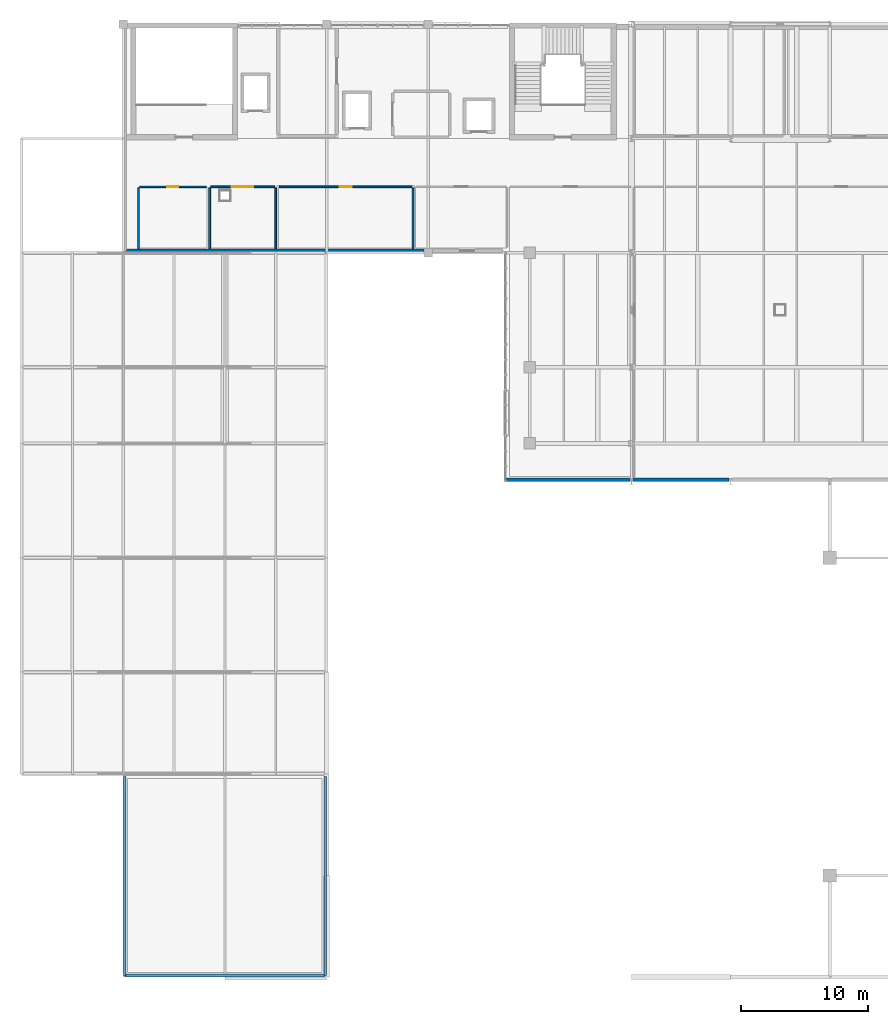
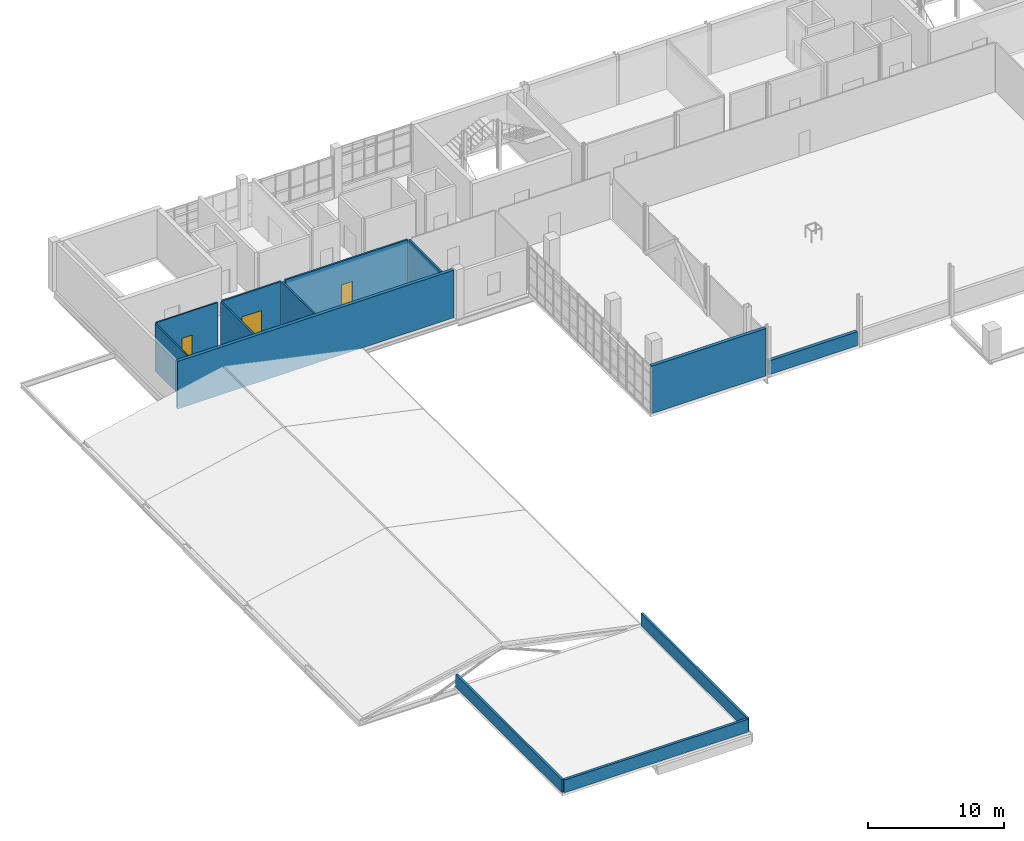
# One storey, part 31 of 38: 13 walls, 3 doors, 3 openings.
"""IFC4 building model written with IfcOpenShell, lengths in metres."""

from ifc_helpers import new_model, si_unit, derived_unit, direction, frame, frame_2d, origin, place, context, subcontext, project, spatial, rectangle, extrude, material, layer, layer_set, type_object, element, fill, save


model = new_model("IFC4")

# Units and contexts
model_context = context("Model", 3, precision=1e-05, world=origin(), true_north=direction((0.0, 1.0)))
body_context = subcontext(model_context, "Body", "Model", "MODEL_VIEW")
ifc_project = project(units=[si_unit("LENGTHUNIT", "METRE"), si_unit("AREAUNIT", "SQUARE_METRE"), si_unit("VOLUMEUNIT", "CUBIC_METRE"), si_unit("PLANEANGLEUNIT", "RADIAN"), si_unit("MASSUNIT", "GRAM", prefix="KILO"), derived_unit("THERMALTRANSMITTANCEUNIT", [(si_unit("POWERUNIT", "WATT"), 1), (si_unit("LENGTHUNIT", "METRE"), -2), (si_unit("THERMODYNAMICTEMPERATUREUNIT", "KELVIN"), -1)])], contexts=[model_context])

# Site, building, storey
site_placement = place(None, origin())
site = spatial("IfcSite", under=ifc_project, at=site_placement, CompositionType="ELEMENT")
building_placement = place(site_placement, origin())
building = spatial("IfcBuilding", under=site, at=building_placement, Name="Nallur Shell Playhouse", CompositionType="ELEMENT")
storey_placement = place(building_placement, frame((0.0, 0.0, 24.300048828125)))
storey = spatial("IfcBuildingStorey", under=building, at=storey_placement, Name="L06", CompositionType="ELEMENT", Elevation=24.300048828125)

# Walls
ifc_material_1 = material(Name="Concrete M30", Category="concrete")
ifc_layer_1 = layer(ifc_material_1, 0.280029296875)
ifc_layer_set_1 = layer_set([ifc_layer_1], Name="Concrete M30")
wall_type_1 = type_object("IfcWallType", Name="WL-EXT-INS280", PredefinedType="STANDARD", material=ifc_layer_set_1)
wall_1_placement = place(storey_placement, frame((71.6669921875, 47.159912109375, 0.0), z_axis=(0.0, 0.0, 1.0), x_axis=(-1.0, 0.0, 0.0)))
element("IfcWall", 1, at=wall_1_placement, inside=storey, type_object=wall_type_1, Name="L06 exterior wall EW-L06-248", PredefinedType="STANDARD", context=body_context, shape_type="SweptSolid", body=[
    extrude(rectangle(XDim=7.533935546875, YDim=0.280029296875, at=frame_2d((3.76708984375, 0.0))), origin(), (0.0, 0.0, 1.0), 1.25),
])
wall_2_placement = place(storey_placement, frame((63.866943359375, 47.159912109375, 0.0), z_axis=(0.0, 0.0, 1.0), x_axis=(-1.0, 0.0, 0.0)))
element("IfcWall", 2, at=wall_2_placement, inside=storey, type_object=wall_type_1, Name="L06 exterior wall EW-L06-249", PredefinedType="STANDARD", context=body_context, shape_type="SweptSolid", body=[
    extrude(rectangle(XDim=9.717041015625, YDim=0.280029296875, at=frame_2d((4.8583984375, 0.0))), origin(), (0.0, 0.0, 1.0), 4.280029296875),
])
wall_3_placement = place(storey_placement, frame((47.6669921875, 65.159912109375, 0.0), z_axis=(0.0, 0.0, 1.0), x_axis=(-1.0, 0.0, 0.0)))
element("IfcWall", 3, at=wall_3_placement, inside=storey, type_object=wall_type_1, Name="L06 exterior wall EW-L06-251", PredefinedType="STANDARD", context=body_context, shape_type="SweptSolid", body=[
    extrude(rectangle(XDim=23.51708984375, YDim=0.280029296875, at=frame_2d((11.758544921875, 0.0))), origin(), (0.0, 0.0, 1.0), 4.280029296875),
])
ifc_material_2 = material(Name="Concrete M35", Category="concrete")
ifc_layer_2 = layer(ifc_material_2, 0.179931640625)
ifc_layer_set_2 = layer_set([ifc_layer_2], Name="Concrete M35")
wall_type_2 = type_object("IfcWallType", Name="WL-PARAPET-180", PredefinedType="PARAPET", material=ifc_layer_set_2)
for number, where, z_axis, x_axis, name in (
    (4, (39.889892578125, 23.800048828125, 0.0), (0.0, 0.0, 1.0), (0.0, -1.0, 0.0), "L06 concrete roof parapet PAR-034"),
    (5, (24.110107421875, 8.1298828125, 0.0), (0.0, 0.0, 1.0), (0.0, 1.0, 0.0), "L06 concrete roof parapet PAR-036"),
):
    element("IfcWall", number, at=place(storey_placement, frame(where, z_axis=z_axis, x_axis=x_axis)), inside=storey, type_object=wall_type_2, Name=name, PredefinedType="PARAPET", context=body_context, shape_type="SweptSolid", body=[
        extrude(rectangle(XDim=15.670166015625, YDim=0.179931640625, at=frame_2d((7.8349609375, 0.0))), origin(), (0.0, 0.0, 1.0), 1.14990234375),
    ])
ifc_layer_3 = layer(ifc_material_2, 0.219970703125)
ifc_layer_set_3 = layer_set([ifc_layer_3], Name="Concrete M35")
wall_type_3 = type_object("IfcWallType", Name="WL-PARAPET-220", PredefinedType="PARAPET", material=ifc_layer_set_3)
wall_4_placement = place(storey_placement, frame((39.85009765625, 8.1298828125, 0.0), z_axis=(0.0, 0.0, 1.0), x_axis=(-1.0, 0.0, 0.0)))
element("IfcWall", 6, at=wall_4_placement, inside=storey, type_object=wall_type_3, Name="L06 concrete roof parapet PAR-035", PredefinedType="PARAPET", context=body_context, shape_type="SweptSolid", body=[
    extrude(rectangle(XDim=15.7001953125, YDim=0.219970703125, at=frame_2d((7.85009765625, 0.0))), origin(), (0.0, 0.0, 1.0), 1.14990234375),
])
ifc_material_3 = material(Name="Concrete M25 Fire Blockwork", Category="masonry")
ifc_layer_4 = layer(ifc_material_3, 0.14990234375)
ifc_layer_set_4 = layer_set([ifc_layer_4], Name="Concrete M25 Fire Blockwork")
wall_type_4 = type_object("IfcWallType", Name="WL-PART-FR150", PredefinedType="PARTITIONING", material=ifc_layer_set_4)
for number, where, z_axis, x_axis, name in (
    (7, (36.0, 70.10498046875, 0.0), (0.0, 0.0, 1.0), (0.0, -1.0, 0.0), "Experimental Drama & Mask Workshop partition IW-L06-0400"),
    (8, (30.800048828125, 65.303955078125, 0.0), (0.0, 0.0, 1.0), (0.0, 1.0, 0.0), "Experimental Drama & Mask Workshop partition IW-L06-0401"),
):
    element("IfcWall", number, at=place(storey_placement, frame(where, z_axis=z_axis, x_axis=x_axis)), inside=storey, type_object=wall_type_4, Name=name, PredefinedType="PARTITIONING", context=body_context, shape_type="SweptSolid", body=[
        extrude(rectangle(XDim=4.801025390625, YDim=0.14990234375, at=frame_2d((2.400390625, 0.0))), origin(), (0.0, 0.0, 1.0), 4.27001953125),
    ])

# Wall, opening, door
wall_5_placement = place(storey_placement, frame((30.89501953125, 70.199951171875, 0.0), z_axis=(0.0, 0.0, 1.0), x_axis=(1.0, 0.0, 0.0)))
wall_5 = element("IfcWall", 9, at=wall_5_placement, inside=storey, type_object=wall_type_4, Name="Experimental Drama & Mask Workshop partition IW-L06-0402", PredefinedType="PARTITIONING", context=body_context, shape_type="SweptSolid", body=[
    extrude(rectangle(XDim=5.010009765625, YDim=0.14990234375, at=frame_2d((2.5048828125, 0.0))), origin(), (0.0, 0.0, 1.0), 4.27001953125),
])
opening_1_placement = place(wall_5_placement, frame((1.655029296875, 0.0, 0.0)))
opening_1 = element("IfcOpeningElement", 10, at=opening_1_placement, cuts=wall_5, Name="Opening RD-01", PredefinedType="OPENING", context=body_context, shape_type="SweptSolid", body=[
    extrude(rectangle(XDim=1.699951171875, YDim=2.25, at=frame_2d((0.85009765625, 1.125))), frame((0.0, 0.0849609375, 0.0), z_axis=(0.0, -1.0, 0.0), x_axis=(1.0, 0.0, 0.0)), (0.0, 0.0, 1.0), 0.169921875),
])
ifc_material_4 = material(Name="Rehearsal Hall Acoustic Double Door")
door_type_1 = type_object("IfcDoorType", Name="DR-INT-RHL-DBL", OperationType="DOUBLE_DOOR_SINGLE_SWING", PredefinedType="DOOR", material=ifc_material_4)
door_1_placement = place(opening_1_placement, origin())
door_1 = element("IfcDoor", 11, at=door_1_placement, inside=storey, type_object=door_type_1, Name="Experimental Drama & Mask Workshop door 1", OperationType="DOUBLE_DOOR_SINGLE_SWING", OverallHeight=2.25, OverallWidth=1.699951171875, PredefinedType="DOOR", context=body_context, shape_type="SweptSolid", body=[
    extrude(rectangle(XDim=1.699951171875, YDim=2.25, at=frame_2d((0.85009765625, 1.125))), frame((0.0, 0.02490234375, 0.0), z_axis=(0.0, -1.0, 0.0), x_axis=(1.0, 0.0, 0.0)), (0.0, 0.0, 1.0), 0.050048828125),
])
fill(opening_1, door_1)

wall_6_placement = place(storey_placement, frame((36.294921875, 70.199951171875, 0.0), z_axis=(0.0, 0.0, 1.0), x_axis=(1.0, 0.0, 0.0)))
wall_6 = element("IfcWall", 12, at=wall_6_placement, inside=storey, type_object=wall_type_4, Name="Artistic Director & Executive Management Suite partition IW-L06-0412", PredefinedType="PARTITIONING", context=body_context, shape_type="SweptSolid", body=[
    extrude(rectangle(XDim=10.41015625, YDim=0.14990234375, at=frame_2d((5.205078125, 0.0))), origin(), (0.0, 0.0, 1.0), 4.27001953125),
])
opening_2_placement = place(wall_6_placement, frame((4.72998046875, 0.0, 0.0)))
opening_2 = element("IfcOpeningElement", 13, at=opening_2_placement, cuts=wall_6, Name="Opening ID-04", PredefinedType="OPENING", context=body_context, shape_type="SweptSolid", body=[
    extrude(rectangle(XDim=0.949951171875, YDim=2.14990234375, at=frame_2d((0.47509765625, 1.074951171875))), frame((0.0, 0.0849609375, 0.0), z_axis=(0.0, -1.0, 0.0), x_axis=(1.0, 0.0, 0.0)), (0.0, 0.0, 1.0), 0.169921875),
])
ifc_material_5 = material(Name="Solid-Core Engineered Timber Door", Category="wood")
door_type_2 = type_object("IfcDoorType", Name="DR-INT-SGL950R", OperationType="SINGLE_SWING_RIGHT", PredefinedType="DOOR", material=ifc_material_5)
door_2_placement = place(opening_2_placement, origin())
door_2 = element("IfcDoor", 14, at=door_2_placement, inside=storey, type_object=door_type_2, Name="Artistic Director & Executive Management Suite door 1", OperationType="SINGLE_SWING_RIGHT", OverallHeight=2.14990234375, OverallWidth=0.949951171875, PredefinedType="DOOR", context=body_context, shape_type="SweptSolid", body=[
    extrude(rectangle(XDim=0.949951171875, YDim=2.14990234375, at=frame_2d((0.47509765625, 1.074951171875))), frame((0.0, 0.02490234375, 0.0), z_axis=(0.0, -1.0, 0.0), x_axis=(1.0, 0.0, 0.0)), (0.0, 0.0, 1.0), 0.050048828125),
])
fill(opening_2, door_2)

# Walls
wall_7_placement = place(storey_placement, frame((46.800048828125, 70.10498046875, 0.0), z_axis=(0.0, 0.0, 1.0), x_axis=(0.0, -1.0, 0.0)))
element("IfcWall", 15, at=wall_7_placement, inside=storey, type_object=wall_type_4, Name="Artistic Director & Executive Management Suite partition IW-L06-0413", PredefinedType="PARTITIONING", context=body_context, shape_type="SweptSolid", body=[
    extrude(rectangle(XDim=4.801025390625, YDim=0.14990234375, at=frame_2d((2.400390625, 0.0))), origin(), (0.0, 0.0, 1.0), 4.27001953125),
])
ifc_layer_5 = layer(ifc_material_3, 0.1201171875)
ifc_layer_set_5 = layer_set([ifc_layer_5], Name="Concrete M25 Fire Blockwork")
wall_type_5 = type_object("IfcWallType", Name="WL-PART-WET120", PredefinedType="PARTITIONING", material=ifc_layer_set_5)
wall_8_placement = place(storey_placement, frame((25.199951171875, 65.303955078125, 0.0), z_axis=(0.0, 0.0, 1.0), x_axis=(0.0, 1.0, 0.0)))
element("IfcWall", 16, at=wall_8_placement, inside=storey, type_object=wall_type_5, Name="Level 06 Production & Gridiron Accessible Restroom partition IW-L06-0416", PredefinedType="PARTITIONING", context=body_context, shape_type="SweptSolid", body=[
    extrude(rectangle(XDim=4.816162109375, YDim=0.1201171875, at=frame_2d((2.408203125, 0.0))), origin(), (0.0, 0.0, 1.0), 4.27001953125),
])

# Wall, opening, door
wall_9_placement = place(storey_placement, frame((25.280029296875, 70.199951171875, 0.0), z_axis=(0.0, 0.0, 1.0), x_axis=(1.0, 0.0, 0.0)))
wall_9 = element("IfcWall", 17, at=wall_9_placement, inside=storey, type_object=wall_type_5, Name="Level 06 Production & Gridiron Accessible Restroom partition IW-L06-0417", PredefinedType="PARTITIONING", context=body_context, shape_type="SweptSolid", body=[
    extrude(rectangle(XDim=5.239990234375, YDim=0.1201171875, at=frame_2d((2.6201171875, 0.0))), origin(), (0.0, 0.0, 1.0), 4.27001953125),
])
opening_3_placement = place(wall_9_placement, frame((2.179931640625, 0.0, 0.0)))
opening_3 = element("IfcOpeningElement", 18, at=opening_3_placement, cuts=wall_9, Name="Opening WD-01", PredefinedType="OPENING", context=body_context, shape_type="SweptSolid", body=[
    extrude(rectangle(XDim=0.8798828125, YDim=2.10009765625, at=frame_2d((0.43994140625, 1.050048828125))), frame((0.0, 0.070068359375, 0.0), z_axis=(0.0, -1.0, 0.0), x_axis=(1.0, 0.0, 0.0)), (0.0, 0.0, 1.0), 0.14013671875),
])
ifc_material_6 = material(Name="Moisture-Resistant Laminate Restroom Door")
door_type_3 = type_object("IfcDoorType", Name="DR-INT-WC880L", OperationType="SINGLE_SWING_LEFT", PredefinedType="DOOR", material=ifc_material_6)
door_3_placement = place(opening_3_placement, origin())
door_3 = element("IfcDoor", 19, at=door_3_placement, inside=storey, type_object=door_type_3, Name="Level 06 Production & Gridiron Accessible Restroom door 1", OperationType="SINGLE_SWING_LEFT", OverallHeight=2.10009765625, OverallWidth=0.8798828125, PredefinedType="DOOR", context=body_context, shape_type="SweptSolid", body=[
    extrude(rectangle(XDim=0.8798828125, YDim=2.10009765625, at=frame_2d((0.43994140625, 1.050048828125))), frame((0.0, 0.02490234375, 0.0), z_axis=(0.0, -1.0, 0.0), x_axis=(1.0, 0.0, 0.0)), (0.0, 0.0, 1.0), 0.050048828125),
])
fill(opening_3, door_3)

save(model, "model.ifc")
